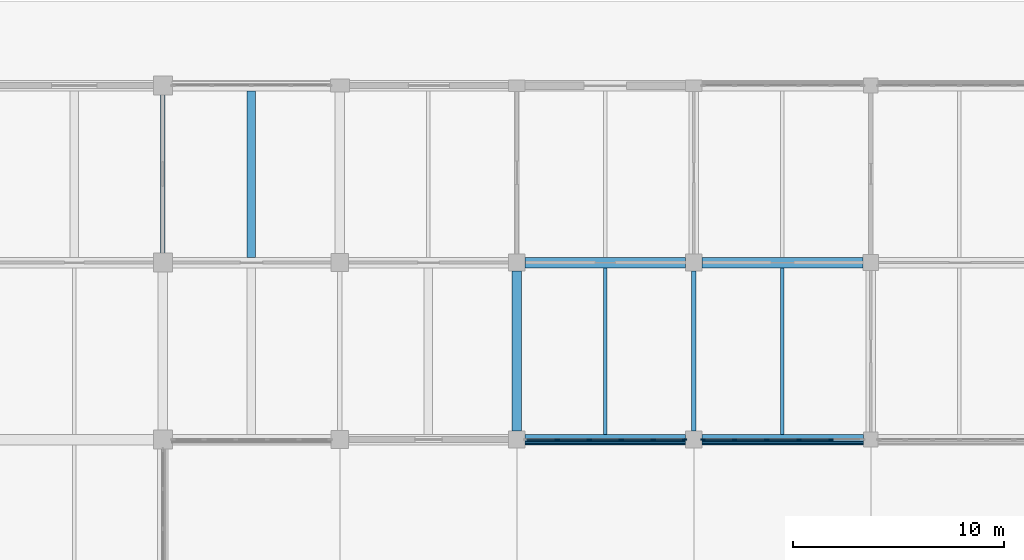
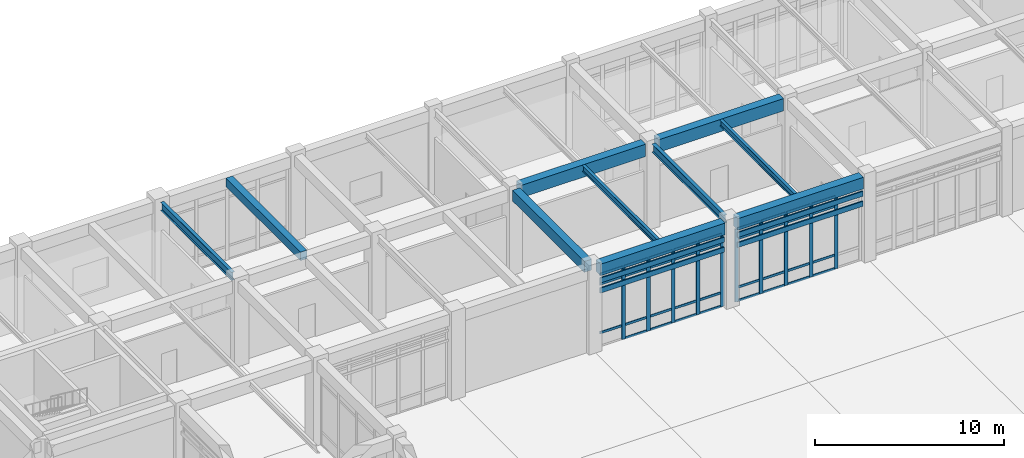
# One storey, part 44 of 91: 49 members, 10 beams, 2 elements without a shape of their own.
"""IFC4 building model written with IfcOpenShell, lengths in metres."""

from ifc_helpers import new_model, si_unit, direction, frame, origin, origin_2d, place, context, subcontext, project, spatial, rectangle, i_section, extrude, material, layer, layer_set, material_profile, profile_set, type_object, element, aggregate, save


model = new_model("IFC4")

# Units and contexts
model_context = context("Model", 3, precision=1e-05, world=origin(), true_north=direction((0.0, 1.0)))
body_context = subcontext(model_context, "Body", "Model", "MODEL_VIEW")
ifc_project = project(units=[si_unit("LENGTHUNIT", "METRE"), si_unit("AREAUNIT", "SQUARE_METRE"), si_unit("VOLUMEUNIT", "CUBIC_METRE"), si_unit("PLANEANGLEUNIT", "RADIAN"), si_unit("MASSUNIT", "GRAM", prefix="KILO")], contexts=[model_context])

# Site, building, storey
site_placement = place(None, origin())
site = spatial("IfcSite", under=ifc_project, at=site_placement, CompositionType="ELEMENT")
building_placement = place(site_placement, origin())
building = spatial("IfcBuilding", under=site, at=building_placement, Name="Porcellanite Civic Hall", CompositionType="ELEMENT")
storey_placement = place(building_placement, origin())
storey = spatial("IfcBuildingStorey", under=building, at=storey_placement, Name="L00", CompositionType="ELEMENT", Elevation=0.0)

# Beams
ifc_material_1 = material(Name="Concrete N50 (50 MPa)", Category="concrete")
ifc_material_profile_1 = material_profile(ifc_material_1, rectangle(XDim=0.39990234375, YDim=0.550048828125, at=origin_2d()), Name="RC-400x550")
ifc_profile_set_1 = profile_set([ifc_material_profile_1], Name="Concrete N50 (50 MPa)")
beam_type_1 = type_object("IfcBeamType", Name="BM-RC550", PredefinedType="JOIST", material=ifc_profile_set_1)
beam_1_placement = place(storey_placement, frame((130.199951171875, 109.449462890625, 5.22509765625), z_axis=(0.0, 1.0, 0.0), x_axis=(-1.0, 0.0, 0.0)))
element("IfcBeam", 1, at=beam_1_placement, inside=storey, type_object=beam_type_1, Name="Secondary joist L00 16-14", PredefinedType="JOIST", context=body_context, shape_type="SweptSolid", body=[
    extrude(rectangle(XDim=0.39990234375, YDim=0.550048828125, at=origin_2d()), origin(), (0.0, 0.0, 1.0), 7.901123046875),
])
ifc_material_2 = material(Name="Concrete N50 (50 MPa)", Category="concrete")
ifc_material_profile_2 = material_profile(ifc_material_2, rectangle(XDim=0.449951171875, YDim=0.699951171875, at=origin_2d()), Name="RC-450x700")
ifc_profile_set_2 = profile_set([ifc_material_profile_2], Name="Concrete N50 (50 MPa)")
beam_type_2 = type_object("IfcBeamType", Name="BM-RC700", PredefinedType="BEAM", material=ifc_profile_set_2)
beam_2_placement = place(storey_placement, frame((142.800048828125, 101.199462890625, 5.14990234375), z_axis=(0.0, 1.0, 0.0), x_axis=(-1.0, 0.0, 0.0)))
element("IfcBeam", 2, at=beam_2_placement, inside=storey, type_object=beam_type_2, Name="Beam Y L00 18-13", PredefinedType="BEAM", context=body_context, shape_type="SweptSolid", body=[
    extrude(rectangle(XDim=0.449951171875, YDim=0.699951171875, at=origin_2d()), origin(), (0.0, 0.0, 1.0), 7.60107421875),
])
ifc_material_3 = material(Name="Concrete N50 (50 MPa)", Category="concrete")
ifc_material_profile_3 = material_profile(ifc_material_3, rectangle(XDim=0.5, YDim=0.75, at=origin_2d()), Name="RC-500x750")
ifc_profile_set_3 = profile_set([ifc_material_profile_3], Name="Concrete N50 (50 MPa)")
beam_type_3 = type_object("IfcBeamType", Name="BM-RC750", PredefinedType="SPANDREL", material=ifc_profile_set_3)
beam_3_placement = place(storey_placement, frame((143.199462890625, 100.800048828125, 5.125), z_axis=(1.0, 0.0, 0.0), x_axis=(0.0, 1.0, 0.0)))
element("IfcBeam", 3, at=beam_3_placement, inside=storey, type_object=beam_type_3, Name="Beam X L00 18-13", PredefinedType="SPANDREL", context=body_context, shape_type="SweptSolid", body=[
    extrude(rectangle(XDim=0.5, YDim=0.75, at=origin_2d()), origin(), (0.0, 0.0, 1.0), 7.60107421875),
])
beam_4_placement = place(storey_placement, frame((151.599609375, 100.800048828125, 5.125), z_axis=(1.0, 0.0, 0.0), x_axis=(0.0, 1.0, 0.0)))
element("IfcBeam", 4, at=beam_4_placement, inside=storey, type_object=beam_type_3, Name="Beam X L00 19-13", PredefinedType="SPANDREL", context=body_context, shape_type="SweptSolid", body=[
    extrude(rectangle(XDim=0.5, YDim=0.75, at=origin_2d()), origin(), (0.0, 0.0, 1.0), 7.65087890625),
])
ifc_material_4 = material(Name="Concrete N50 (50 MPa)", Category="concrete")
ifc_material_profile_4 = material_profile(ifc_material_4, rectangle(XDim=0.5, YDim=0.800048828125, at=origin_2d()), Name="RC-500x800")
ifc_profile_set_4 = profile_set([ifc_material_profile_4], Name="Concrete N50 (50 MPa)")
beam_type_4 = type_object("IfcBeamType", Name="BM-RC800", PredefinedType="BEAM", material=ifc_profile_set_4)
beam_5_placement = place(storey_placement, frame((143.199462890625, 109.199951171875, 5.10009765625), z_axis=(1.0, 0.0, 0.0), x_axis=(0.0, 1.0, 0.0)))
element("IfcBeam", 5, at=beam_5_placement, inside=storey, type_object=beam_type_4, Name="Beam X L00 18-14", PredefinedType="BEAM", context=body_context, shape_type="SweptSolid", body=[
    extrude(rectangle(XDim=0.5, YDim=0.800048828125, at=origin_2d()), origin(), (0.0, 0.0, 1.0), 7.60107421875),
])
beam_6_placement = place(storey_placement, frame((151.599609375, 109.199951171875, 5.10009765625), z_axis=(1.0, 0.0, 0.0), x_axis=(0.0, 1.0, 0.0)))
element("IfcBeam", 6, at=beam_6_placement, inside=storey, type_object=beam_type_4, Name="Beam X L00 19-14", PredefinedType="BEAM", context=body_context, shape_type="SweptSolid", body=[
    extrude(rectangle(XDim=0.5, YDim=0.800048828125, at=origin_2d()), origin(), (0.0, 0.0, 1.0), 7.6259765625),
])

# Curtain wall, members
ifc_material_5 = material(Name="Anodised aluminium and solar laminated glass", Category="aluminium")
ifc_layer = layer(ifc_material_5, 0.179931640625)
ifc_layer_set = layer_set([ifc_layer], Name="Anodised aluminium and solar laminated glass")
curtain_wall_type = type_object("IfcCurtainWallType", Name="CW-SYS02", PredefinedType="NOTDEFINED", material=ifc_layer_set)
curtain_wall_1_placement = place(storey_placement, origin())
curtain_wall_1 = element("IfcCurtainWall", 7, at=curtain_wall_1_placement, inside=storey, type_object=curtain_wall_type, Name="Curtain wall CW-051", PredefinedType="NOTDEFINED")
ifc_material_6 = material(Name="Anodised aluminium 6063-T6", Category="aluminium")
ifc_material_profile_5 = material_profile(ifc_material_6, rectangle(XDim=0.074951171875, YDim=0.219970703125, at=origin_2d()), Name="AL-75x220")
ifc_profile_set_5 = profile_set([ifc_material_profile_5], Name="Anodised aluminium 6063-T6")
member_type_1 = type_object("IfcMemberType", Name="CWM-03", PredefinedType="MULLION", material=ifc_profile_set_5)
member_1_placement = place(storey_placement, frame((150.761474609375, 100.800048828125, 0.0), z_axis=(0.0, 0.0, 1.0), x_axis=(0.0, -1.0, 0.0)))
member_1 = element("IfcMember", 8, at=member_1_placement, type_object=member_type_1, Name="CW-051 mullion 1", PredefinedType="MULLION", context=body_context, shape_type="SweptSolid", body=[
    extrude(rectangle(XDim=0.074951171875, YDim=0.219970703125, at=origin_2d()), origin(), (0.0, 0.0, 1.0), 4.699951171875),
])
member_2_placement = place(storey_placement, frame((149.279296875, 100.800048828125, 0.0), z_axis=(0.0, 0.0, 1.0), x_axis=(0.0, -1.0, 0.0)))
member_2 = element("IfcMember", 9, at=member_2_placement, type_object=member_type_1, Name="CW-051 mullion 2", PredefinedType="MULLION", context=body_context, shape_type="SweptSolid", body=[
    extrude(rectangle(XDim=0.074951171875, YDim=0.219970703125, at=origin_2d()), origin(), (0.0, 0.0, 1.0), 4.699951171875),
])
member_3_placement = place(storey_placement, frame((147.759765625, 100.800048828125, 0.0), z_axis=(0.0, 0.0, 1.0), x_axis=(0.0, -1.0, 0.0)))
member_3 = element("IfcMember", 10, at=member_3_placement, type_object=member_type_1, Name="CW-051 mullion 3", PredefinedType="MULLION", context=body_context, shape_type="SweptSolid", body=[
    extrude(rectangle(XDim=0.074951171875, YDim=0.219970703125, at=origin_2d()), origin(), (0.0, 0.0, 1.0), 4.699951171875),
])
member_4_placement = place(storey_placement, frame((146.240234375, 100.800048828125, 0.0), z_axis=(0.0, 0.0, 1.0), x_axis=(0.0, -1.0, 0.0)))
member_4 = element("IfcMember", 11, at=member_4_placement, type_object=member_type_1, Name="CW-051 mullion 4", PredefinedType="MULLION", context=body_context, shape_type="SweptSolid", body=[
    extrude(rectangle(XDim=0.074951171875, YDim=0.219970703125, at=origin_2d()), origin(), (0.0, 0.0, 1.0), 4.699951171875),
])
member_5_placement = place(storey_placement, frame((144.720703125, 100.800048828125, 0.0), z_axis=(0.0, 0.0, 1.0), x_axis=(0.0, -1.0, 0.0)))
member_5 = element("IfcMember", 12, at=member_5_placement, type_object=member_type_1, Name="CW-051 mullion 5", PredefinedType="MULLION", context=body_context, shape_type="SweptSolid", body=[
    extrude(rectangle(XDim=0.074951171875, YDim=0.219970703125, at=origin_2d()), origin(), (0.0, 0.0, 1.0), 4.699951171875),
])

curtain_wall_2_placement = place(storey_placement, origin())
curtain_wall_2 = element("IfcCurtainWall", 13, at=curtain_wall_2_placement, inside=storey, type_object=curtain_wall_type, Name="Curtain wall CW-052", PredefinedType="NOTDEFINED")
member_6_placement = place(storey_placement, frame((157.719482421875, 100.800048828125, 0.0), z_axis=(0.0, 0.0, 1.0), x_axis=(0.0, -1.0, 0.0)))
member_6 = element("IfcMember", 14, at=member_6_placement, type_object=member_type_1, Name="CW-052 mullion 2", PredefinedType="MULLION", context=body_context, shape_type="SweptSolid", body=[
    extrude(rectangle(XDim=0.074951171875, YDim=0.219970703125, at=origin_2d()), origin(), (0.0, 0.0, 1.0), 4.699951171875),
])
member_7_placement = place(storey_placement, frame((156.189697265625, 100.800048828125, 0.0), z_axis=(0.0, 0.0, 1.0), x_axis=(0.0, -1.0, 0.0)))
member_7 = element("IfcMember", 15, at=member_7_placement, type_object=member_type_1, Name="CW-052 mullion 3", PredefinedType="MULLION", context=body_context, shape_type="SweptSolid", body=[
    extrude(rectangle(XDim=0.074951171875, YDim=0.219970703125, at=origin_2d()), origin(), (0.0, 0.0, 1.0), 4.699951171875),
])
member_8_placement = place(storey_placement, frame((154.66015625, 100.800048828125, 0.0), z_axis=(0.0, 0.0, 1.0), x_axis=(0.0, -1.0, 0.0)))
member_8 = element("IfcMember", 16, at=member_8_placement, type_object=member_type_1, Name="CW-052 mullion 4", PredefinedType="MULLION", context=body_context, shape_type="SweptSolid", body=[
    extrude(rectangle(XDim=0.074951171875, YDim=0.219970703125, at=origin_2d()), origin(), (0.0, 0.0, 1.0), 4.699951171875),
])
member_9_placement = place(storey_placement, frame((153.130615234375, 100.800048828125, 0.0), z_axis=(0.0, 0.0, 1.0), x_axis=(0.0, -1.0, 0.0)))
member_9 = element("IfcMember", 17, at=member_9_placement, type_object=member_type_1, Name="CW-052 mullion 5", PredefinedType="MULLION", context=body_context, shape_type="SweptSolid", body=[
    extrude(rectangle(XDim=0.074951171875, YDim=0.219970703125, at=origin_2d()), origin(), (0.0, 0.0, 1.0), 4.699951171875),
])
member_10_placement = place(storey_placement, frame((151.638427734375, 100.800048828125, 0.0), z_axis=(0.0, 0.0, 1.0), x_axis=(0.0, -1.0, 0.0)))
member_10 = element("IfcMember", 18, at=member_10_placement, type_object=member_type_1, Name="CW-052 mullion 6", PredefinedType="MULLION", context=body_context, shape_type="SweptSolid", body=[
    extrude(rectangle(XDim=0.074951171875, YDim=0.219970703125, at=origin_2d()), origin(), (0.0, 0.0, 1.0), 4.699951171875),
])

# Member
ifc_material_7 = material(Name="Anodised aluminium 6063-T6", Category="aluminium")
ifc_material_profile_6 = material_profile(ifc_material_7, rectangle(XDim=0.06494140625, YDim=0.14990234375, at=origin_2d()), Name="AL-65x150")
ifc_profile_set_6 = profile_set([ifc_material_profile_6], Name="Anodised aluminium 6063-T6")
member_type_2 = type_object("IfcMemberType", Name="CWT-02", PredefinedType="USERDEFINED", material=ifc_profile_set_6)
member_11_placement = place(storey_placement, frame((150.72412109375, 100.800048828125, 0.032470703125), z_axis=(-1.0, 0.0, 0.0), x_axis=(0.0, -1.0, 0.0)))
member_11 = element("IfcMember", 19, at=member_11_placement, type_object=member_type_2, Name="CW-051 transom 1.1", ObjectType="TRANSOM", PredefinedType="USERDEFINED", context=body_context, shape_type="SweptSolid", body=[
    extrude(rectangle(XDim=0.06494140625, YDim=0.14990234375, at=origin_2d()), origin(), (0.0, 0.0, 1.0), 1.4072265625),
])

member_12_placement = place(storey_placement, frame((150.72412109375, 100.800048828125, 0.89990234375), z_axis=(-1.0, 0.0, 0.0), x_axis=(0.0, -1.0, 0.0)))
member_12 = element("IfcMember", 20, at=member_12_placement, type_object=member_type_2, Name="CW-051 transom 1.2", ObjectType="TRANSOM", PredefinedType="USERDEFINED", context=body_context, shape_type="SweptSolid", body=[
    extrude(rectangle(XDim=0.06494140625, YDim=0.14990234375, at=origin_2d()), origin(), (0.0, 0.0, 1.0), 1.4072265625),
])

member_13_placement = place(storey_placement, frame((150.72412109375, 100.800048828125, 4.050048828125), z_axis=(-1.0, 0.0, 0.0), x_axis=(0.0, -1.0, 0.0)))
member_13 = element("IfcMember", 21, at=member_13_placement, type_object=member_type_2, Name="CW-051 transom 1.3", ObjectType="TRANSOM", PredefinedType="USERDEFINED", context=body_context, shape_type="SweptSolid", body=[
    extrude(rectangle(XDim=0.06494140625, YDim=0.14990234375, at=origin_2d()), origin(), (0.0, 0.0, 1.0), 1.4072265625),
])

member_14_placement = place(storey_placement, frame((150.72412109375, 100.800048828125, 4.66748046875), z_axis=(-1.0, 0.0, 0.0), x_axis=(0.0, -1.0, 0.0)))
member_14 = element("IfcMember", 22, at=member_14_placement, type_object=member_type_2, Name="CW-051 transom 1.4", ObjectType="TRANSOM", PredefinedType="USERDEFINED", context=body_context, shape_type="SweptSolid", body=[
    extrude(rectangle(XDim=0.06494140625, YDim=0.14990234375, at=origin_2d()), origin(), (0.0, 0.0, 1.0), 1.4072265625),
])

member_15_placement = place(storey_placement, frame((149.241943359375, 100.800048828125, 0.032470703125), z_axis=(-1.0, 0.0, 0.0), x_axis=(0.0, -1.0, 0.0)))
member_15 = element("IfcMember", 23, at=member_15_placement, type_object=member_type_2, Name="CW-051 transom 2.1", ObjectType="TRANSOM", PredefinedType="USERDEFINED", context=body_context, shape_type="SweptSolid", body=[
    extrude(rectangle(XDim=0.06494140625, YDim=0.14990234375, at=origin_2d()), origin(), (0.0, 0.0, 1.0), 1.444580078125),
])

member_16_placement = place(storey_placement, frame((149.241943359375, 100.800048828125, 0.89990234375), z_axis=(-1.0, 0.0, 0.0), x_axis=(0.0, -1.0, 0.0)))
member_16 = element("IfcMember", 24, at=member_16_placement, type_object=member_type_2, Name="CW-051 transom 2.2", ObjectType="TRANSOM", PredefinedType="USERDEFINED", context=body_context, shape_type="SweptSolid", body=[
    extrude(rectangle(XDim=0.06494140625, YDim=0.14990234375, at=origin_2d()), origin(), (0.0, 0.0, 1.0), 1.444580078125),
])

member_17_placement = place(storey_placement, frame((149.241943359375, 100.800048828125, 4.050048828125), z_axis=(-1.0, 0.0, 0.0), x_axis=(0.0, -1.0, 0.0)))
member_17 = element("IfcMember", 25, at=member_17_placement, type_object=member_type_2, Name="CW-051 transom 2.3", ObjectType="TRANSOM", PredefinedType="USERDEFINED", context=body_context, shape_type="SweptSolid", body=[
    extrude(rectangle(XDim=0.06494140625, YDim=0.14990234375, at=origin_2d()), origin(), (0.0, 0.0, 1.0), 1.444580078125),
])

member_18_placement = place(storey_placement, frame((149.241943359375, 100.800048828125, 4.66748046875), z_axis=(-1.0, 0.0, 0.0), x_axis=(0.0, -1.0, 0.0)))
member_18 = element("IfcMember", 26, at=member_18_placement, type_object=member_type_2, Name="CW-051 transom 2.4", ObjectType="TRANSOM", PredefinedType="USERDEFINED", context=body_context, shape_type="SweptSolid", body=[
    extrude(rectangle(XDim=0.06494140625, YDim=0.14990234375, at=origin_2d()), origin(), (0.0, 0.0, 1.0), 1.444580078125),
])

member_19_placement = place(storey_placement, frame((147.722412109375, 100.800048828125, 0.032470703125), z_axis=(-1.0, 0.0, 0.0), x_axis=(0.0, -1.0, 0.0)))
member_19 = element("IfcMember", 27, at=member_19_placement, type_object=member_type_2, Name="CW-051 transom 3.1", ObjectType="TRANSOM", PredefinedType="USERDEFINED", context=body_context, shape_type="SweptSolid", body=[
    extrude(rectangle(XDim=0.06494140625, YDim=0.14990234375, at=origin_2d()), origin(), (0.0, 0.0, 1.0), 1.44482421875),
])

member_20_placement = place(storey_placement, frame((147.722412109375, 100.800048828125, 0.89990234375), z_axis=(-1.0, 0.0, 0.0), x_axis=(0.0, -1.0, 0.0)))
member_20 = element("IfcMember", 28, at=member_20_placement, type_object=member_type_2, Name="CW-051 transom 3.2", ObjectType="TRANSOM", PredefinedType="USERDEFINED", context=body_context, shape_type="SweptSolid", body=[
    extrude(rectangle(XDim=0.06494140625, YDim=0.14990234375, at=origin_2d()), origin(), (0.0, 0.0, 1.0), 1.44482421875),
])

member_21_placement = place(storey_placement, frame((147.722412109375, 100.800048828125, 4.050048828125), z_axis=(-1.0, 0.0, 0.0), x_axis=(0.0, -1.0, 0.0)))
member_21 = element("IfcMember", 29, at=member_21_placement, type_object=member_type_2, Name="CW-051 transom 3.3", ObjectType="TRANSOM", PredefinedType="USERDEFINED", context=body_context, shape_type="SweptSolid", body=[
    extrude(rectangle(XDim=0.06494140625, YDim=0.14990234375, at=origin_2d()), origin(), (0.0, 0.0, 1.0), 1.44482421875),
])

member_22_placement = place(storey_placement, frame((147.722412109375, 100.800048828125, 4.66748046875), z_axis=(-1.0, 0.0, 0.0), x_axis=(0.0, -1.0, 0.0)))
member_22 = element("IfcMember", 30, at=member_22_placement, type_object=member_type_2, Name="CW-051 transom 3.4", ObjectType="TRANSOM", PredefinedType="USERDEFINED", context=body_context, shape_type="SweptSolid", body=[
    extrude(rectangle(XDim=0.06494140625, YDim=0.14990234375, at=origin_2d()), origin(), (0.0, 0.0, 1.0), 1.44482421875),
])

member_23_placement = place(storey_placement, frame((146.20263671875, 100.800048828125, 0.032470703125), z_axis=(-1.0, 0.0, 0.0), x_axis=(0.0, -1.0, 0.0)))
member_23 = element("IfcMember", 31, at=member_23_placement, type_object=member_type_2, Name="CW-051 transom 4.1", ObjectType="TRANSOM", PredefinedType="USERDEFINED", context=body_context, shape_type="SweptSolid", body=[
    extrude(rectangle(XDim=0.06494140625, YDim=0.14990234375, at=origin_2d()), origin(), (0.0, 0.0, 1.0), 1.444580078125),
])

member_24_placement = place(storey_placement, frame((146.20263671875, 100.800048828125, 0.89990234375), z_axis=(-1.0, 0.0, 0.0), x_axis=(0.0, -1.0, 0.0)))
member_24 = element("IfcMember", 32, at=member_24_placement, type_object=member_type_2, Name="CW-051 transom 4.2", ObjectType="TRANSOM", PredefinedType="USERDEFINED", context=body_context, shape_type="SweptSolid", body=[
    extrude(rectangle(XDim=0.06494140625, YDim=0.14990234375, at=origin_2d()), origin(), (0.0, 0.0, 1.0), 1.444580078125),
])

member_25_placement = place(storey_placement, frame((146.20263671875, 100.800048828125, 4.050048828125), z_axis=(-1.0, 0.0, 0.0), x_axis=(0.0, -1.0, 0.0)))
member_25 = element("IfcMember", 33, at=member_25_placement, type_object=member_type_2, Name="CW-051 transom 4.3", ObjectType="TRANSOM", PredefinedType="USERDEFINED", context=body_context, shape_type="SweptSolid", body=[
    extrude(rectangle(XDim=0.06494140625, YDim=0.14990234375, at=origin_2d()), origin(), (0.0, 0.0, 1.0), 1.444580078125),
])

member_26_placement = place(storey_placement, frame((146.20263671875, 100.800048828125, 4.66748046875), z_axis=(-1.0, 0.0, 0.0), x_axis=(0.0, -1.0, 0.0)))
member_26 = element("IfcMember", 34, at=member_26_placement, type_object=member_type_2, Name="CW-051 transom 4.4", ObjectType="TRANSOM", PredefinedType="USERDEFINED", context=body_context, shape_type="SweptSolid", body=[
    extrude(rectangle(XDim=0.06494140625, YDim=0.14990234375, at=origin_2d()), origin(), (0.0, 0.0, 1.0), 1.444580078125),
])

member_27_placement = place(storey_placement, frame((144.68310546875, 100.800048828125, 0.89990234375), z_axis=(-1.0, 0.0, 0.0), x_axis=(0.0, -1.0, 0.0)))
member_27 = element("IfcMember", 35, at=member_27_placement, type_object=member_type_2, Name="CW-051 transom 5.2", ObjectType="TRANSOM", PredefinedType="USERDEFINED", context=body_context, shape_type="SweptSolid", body=[
    extrude(rectangle(XDim=0.06494140625, YDim=0.14990234375, at=origin_2d()), origin(), (0.0, 0.0, 1.0), 1.4072265625),
])

member_28_placement = place(storey_placement, frame((144.68310546875, 100.800048828125, 4.050048828125), z_axis=(-1.0, 0.0, 0.0), x_axis=(0.0, -1.0, 0.0)))
member_28 = element("IfcMember", 36, at=member_28_placement, type_object=member_type_2, Name="CW-051 transom 5.3", ObjectType="TRANSOM", PredefinedType="USERDEFINED", context=body_context, shape_type="SweptSolid", body=[
    extrude(rectangle(XDim=0.06494140625, YDim=0.14990234375, at=origin_2d()), origin(), (0.0, 0.0, 1.0), 1.4072265625),
])

member_29_placement = place(storey_placement, frame((144.68310546875, 100.800048828125, 4.66748046875), z_axis=(-1.0, 0.0, 0.0), x_axis=(0.0, -1.0, 0.0)))
member_29 = element("IfcMember", 37, at=member_29_placement, type_object=member_type_2, Name="CW-051 transom 5.4", ObjectType="TRANSOM", PredefinedType="USERDEFINED", context=body_context, shape_type="SweptSolid", body=[
    extrude(rectangle(XDim=0.06494140625, YDim=0.14990234375, at=origin_2d()), origin(), (0.0, 0.0, 1.0), 1.4072265625),
])

aggregate(curtain_wall_1, [member_1, member_2, member_3, member_4, member_5, member_11, member_12, member_13, member_14, member_15, member_16, member_17, member_18, member_19, member_20, member_21, member_22, member_23, member_24, member_25, member_26, member_27, member_28, member_29])

member_30_placement = place(storey_placement, frame((157.681884765625, 100.800048828125, 0.032470703125), z_axis=(-1.0, 0.0, 0.0), x_axis=(0.0, -1.0, 0.0)))
member_30 = element("IfcMember", 38, at=member_30_placement, type_object=member_type_2, Name="CW-052 transom 2.1", ObjectType="TRANSOM", PredefinedType="USERDEFINED", context=body_context, shape_type="SweptSolid", body=[
    extrude(rectangle(XDim=0.06494140625, YDim=0.14990234375, at=origin_2d()), origin(), (0.0, 0.0, 1.0), 1.45458984375),
])

member_31_placement = place(storey_placement, frame((157.681884765625, 100.800048828125, 0.89990234375), z_axis=(-1.0, 0.0, 0.0), x_axis=(0.0, -1.0, 0.0)))
member_31 = element("IfcMember", 39, at=member_31_placement, type_object=member_type_2, Name="CW-052 transom 2.2", ObjectType="TRANSOM", PredefinedType="USERDEFINED", context=body_context, shape_type="SweptSolid", body=[
    extrude(rectangle(XDim=0.06494140625, YDim=0.14990234375, at=origin_2d()), origin(), (0.0, 0.0, 1.0), 1.45458984375),
])

member_32_placement = place(storey_placement, frame((157.681884765625, 100.800048828125, 4.050048828125), z_axis=(-1.0, 0.0, 0.0), x_axis=(0.0, -1.0, 0.0)))
member_32 = element("IfcMember", 40, at=member_32_placement, type_object=member_type_2, Name="CW-052 transom 2.3", ObjectType="TRANSOM", PredefinedType="USERDEFINED", context=body_context, shape_type="SweptSolid", body=[
    extrude(rectangle(XDim=0.06494140625, YDim=0.14990234375, at=origin_2d()), origin(), (0.0, 0.0, 1.0), 1.45458984375),
])

member_33_placement = place(storey_placement, frame((157.681884765625, 100.800048828125, 4.66748046875), z_axis=(-1.0, 0.0, 0.0), x_axis=(0.0, -1.0, 0.0)))
member_33 = element("IfcMember", 41, at=member_33_placement, type_object=member_type_2, Name="CW-052 transom 2.4", ObjectType="TRANSOM", PredefinedType="USERDEFINED", context=body_context, shape_type="SweptSolid", body=[
    extrude(rectangle(XDim=0.06494140625, YDim=0.14990234375, at=origin_2d()), origin(), (0.0, 0.0, 1.0), 1.45458984375),
])

member_34_placement = place(storey_placement, frame((156.15234375, 100.800048828125, 0.032470703125), z_axis=(-1.0, 0.0, 0.0), x_axis=(0.0, -1.0, 0.0)))
member_34 = element("IfcMember", 42, at=member_34_placement, type_object=member_type_2, Name="CW-052 transom 3.1", ObjectType="TRANSOM", PredefinedType="USERDEFINED", context=body_context, shape_type="SweptSolid", body=[
    extrude(rectangle(XDim=0.06494140625, YDim=0.14990234375, at=origin_2d()), origin(), (0.0, 0.0, 1.0), 1.45458984375),
])

member_35_placement = place(storey_placement, frame((156.15234375, 100.800048828125, 0.89990234375), z_axis=(-1.0, 0.0, 0.0), x_axis=(0.0, -1.0, 0.0)))
member_35 = element("IfcMember", 43, at=member_35_placement, type_object=member_type_2, Name="CW-052 transom 3.2", ObjectType="TRANSOM", PredefinedType="USERDEFINED", context=body_context, shape_type="SweptSolid", body=[
    extrude(rectangle(XDim=0.06494140625, YDim=0.14990234375, at=origin_2d()), origin(), (0.0, 0.0, 1.0), 1.45458984375),
])

member_36_placement = place(storey_placement, frame((156.15234375, 100.800048828125, 4.050048828125), z_axis=(-1.0, 0.0, 0.0), x_axis=(0.0, -1.0, 0.0)))
member_36 = element("IfcMember", 44, at=member_36_placement, type_object=member_type_2, Name="CW-052 transom 3.3", ObjectType="TRANSOM", PredefinedType="USERDEFINED", context=body_context, shape_type="SweptSolid", body=[
    extrude(rectangle(XDim=0.06494140625, YDim=0.14990234375, at=origin_2d()), origin(), (0.0, 0.0, 1.0), 1.45458984375),
])

member_37_placement = place(storey_placement, frame((156.15234375, 100.800048828125, 4.66748046875), z_axis=(-1.0, 0.0, 0.0), x_axis=(0.0, -1.0, 0.0)))
member_37 = element("IfcMember", 45, at=member_37_placement, type_object=member_type_2, Name="CW-052 transom 3.4", ObjectType="TRANSOM", PredefinedType="USERDEFINED", context=body_context, shape_type="SweptSolid", body=[
    extrude(rectangle(XDim=0.06494140625, YDim=0.14990234375, at=origin_2d()), origin(), (0.0, 0.0, 1.0), 1.45458984375),
])

member_38_placement = place(storey_placement, frame((154.622802734375, 100.800048828125, 0.032470703125), z_axis=(-1.0, 0.0, 0.0), x_axis=(0.0, -1.0, 0.0)))
member_38 = element("IfcMember", 46, at=member_38_placement, type_object=member_type_2, Name="CW-052 transom 4.1", ObjectType="TRANSOM", PredefinedType="USERDEFINED", context=body_context, shape_type="SweptSolid", body=[
    extrude(rectangle(XDim=0.06494140625, YDim=0.14990234375, at=origin_2d()), origin(), (0.0, 0.0, 1.0), 1.45458984375),
])

member_39_placement = place(storey_placement, frame((154.622802734375, 100.800048828125, 0.89990234375), z_axis=(-1.0, 0.0, 0.0), x_axis=(0.0, -1.0, 0.0)))
member_39 = element("IfcMember", 47, at=member_39_placement, type_object=member_type_2, Name="CW-052 transom 4.2", ObjectType="TRANSOM", PredefinedType="USERDEFINED", context=body_context, shape_type="SweptSolid", body=[
    extrude(rectangle(XDim=0.06494140625, YDim=0.14990234375, at=origin_2d()), origin(), (0.0, 0.0, 1.0), 1.45458984375),
])

member_40_placement = place(storey_placement, frame((154.622802734375, 100.800048828125, 4.050048828125), z_axis=(-1.0, 0.0, 0.0), x_axis=(0.0, -1.0, 0.0)))
member_40 = element("IfcMember", 48, at=member_40_placement, type_object=member_type_2, Name="CW-052 transom 4.3", ObjectType="TRANSOM", PredefinedType="USERDEFINED", context=body_context, shape_type="SweptSolid", body=[
    extrude(rectangle(XDim=0.06494140625, YDim=0.14990234375, at=origin_2d()), origin(), (0.0, 0.0, 1.0), 1.45458984375),
])

member_41_placement = place(storey_placement, frame((154.622802734375, 100.800048828125, 4.66748046875), z_axis=(-1.0, 0.0, 0.0), x_axis=(0.0, -1.0, 0.0)))
member_41 = element("IfcMember", 49, at=member_41_placement, type_object=member_type_2, Name="CW-052 transom 4.4", ObjectType="TRANSOM", PredefinedType="USERDEFINED", context=body_context, shape_type="SweptSolid", body=[
    extrude(rectangle(XDim=0.06494140625, YDim=0.14990234375, at=origin_2d()), origin(), (0.0, 0.0, 1.0), 1.45458984375),
])

member_42_placement = place(storey_placement, frame((153.093017578125, 100.800048828125, 0.032470703125), z_axis=(-1.0, 0.0, 0.0), x_axis=(0.0, -1.0, 0.0)))
member_42 = element("IfcMember", 50, at=member_42_placement, type_object=member_type_2, Name="CW-052 transom 5.1", ObjectType="TRANSOM", PredefinedType="USERDEFINED", context=body_context, shape_type="SweptSolid", body=[
    extrude(rectangle(XDim=0.06494140625, YDim=0.14990234375, at=origin_2d()), origin(), (0.0, 0.0, 1.0), 1.4169921875),
])

member_43_placement = place(storey_placement, frame((153.093017578125, 100.800048828125, 0.89990234375), z_axis=(-1.0, 0.0, 0.0), x_axis=(0.0, -1.0, 0.0)))
member_43 = element("IfcMember", 51, at=member_43_placement, type_object=member_type_2, Name="CW-052 transom 5.2", ObjectType="TRANSOM", PredefinedType="USERDEFINED", context=body_context, shape_type="SweptSolid", body=[
    extrude(rectangle(XDim=0.06494140625, YDim=0.14990234375, at=origin_2d()), origin(), (0.0, 0.0, 1.0), 1.4169921875),
])

member_44_placement = place(storey_placement, frame((153.093017578125, 100.800048828125, 4.050048828125), z_axis=(-1.0, 0.0, 0.0), x_axis=(0.0, -1.0, 0.0)))
member_44 = element("IfcMember", 52, at=member_44_placement, type_object=member_type_2, Name="CW-052 transom 5.3", ObjectType="TRANSOM", PredefinedType="USERDEFINED", context=body_context, shape_type="SweptSolid", body=[
    extrude(rectangle(XDim=0.06494140625, YDim=0.14990234375, at=origin_2d()), origin(), (0.0, 0.0, 1.0), 1.4169921875),
])

member_45_placement = place(storey_placement, frame((153.093017578125, 100.800048828125, 4.66748046875), z_axis=(-1.0, 0.0, 0.0), x_axis=(0.0, -1.0, 0.0)))
member_45 = element("IfcMember", 53, at=member_45_placement, type_object=member_type_2, Name="CW-052 transom 5.4", ObjectType="TRANSOM", PredefinedType="USERDEFINED", context=body_context, shape_type="SweptSolid", body=[
    extrude(rectangle(XDim=0.06494140625, YDim=0.14990234375, at=origin_2d()), origin(), (0.0, 0.0, 1.0), 1.4169921875),
])

aggregate(curtain_wall_2, [member_6, member_7, member_8, member_9, member_10, member_30, member_31, member_32, member_33, member_34, member_35, member_36, member_37, member_38, member_39, member_40, member_41, member_42, member_43, member_44, member_45])

# Beams
ifc_material_8 = material(Name="Steel Grade 350", Category="steel")
ifc_material_profile_7 = material_profile(ifc_material_8, i_section(OverallWidth=0.177978515625, OverallDepth=0.403076171875, WebThickness=0.007568359375, FlangeThickness=0.010986328125, FilletRadius=0.011474609375, at=origin_2d()), Name="410UB53.7")
ifc_profile_set_7 = profile_set([ifc_material_profile_7], Name="Steel Grade 350")
beam_type_5 = type_object("IfcBeamType", Name="JST-410UB54", PredefinedType="JOIST", material=ifc_profile_set_7)
beam_7_placement = place(storey_placement, frame((155.39990234375, 101.049560546875, 5.298583984375), z_axis=(0.0, 1.0, 0.0), x_axis=(-1.0, 0.0, 0.0)))
element("IfcBeam", 54, at=beam_7_placement, inside=storey, type_object=beam_type_5, Name="Secondary joist L00 19-13", PredefinedType="JOIST", context=body_context, shape_type="SweptSolid", body=[
    extrude(i_section(OverallWidth=0.177978515625, OverallDepth=0.403076171875, WebThickness=0.007568359375, FlangeThickness=0.010986328125, FilletRadius=0.011474609375, at=origin_2d()), origin(), (0.0, 0.0, 1.0), 7.90087890625),
])
ifc_material_9 = material(Name="Steel Grade 350", Category="steel")
ifc_material_profile_8 = material_profile(ifc_material_9, i_section(OverallWidth=0.177978515625, OverallDepth=0.406005859375, WebThickness=0.0078125, FlangeThickness=0.0126953125, FilletRadius=0.011474609375, at=origin_2d()), Name="410UB59.7")
ifc_profile_set_8 = profile_set([ifc_material_profile_8], Name="Steel Grade 350")
beam_type_6 = type_object("IfcBeamType", Name="JST-410UB60", PredefinedType="JOIST", material=ifc_profile_set_8)
beam_8_placement = place(storey_placement, frame((147.0, 101.049560546875, 5.297119140625), z_axis=(0.0, 1.0, 0.0), x_axis=(-1.0, 0.0, 0.0)))
element("IfcBeam", 55, at=beam_8_placement, inside=storey, type_object=beam_type_6, Name="Secondary joist L00 18-13", PredefinedType="JOIST", context=body_context, shape_type="SweptSolid", body=[
    extrude(i_section(OverallWidth=0.177978515625, OverallDepth=0.406005859375, WebThickness=0.0078125, FlangeThickness=0.0126953125, FilletRadius=0.011474609375, at=origin_2d()), origin(), (0.0, 0.0, 1.0), 7.90087890625),
])

# Members
ifc_material_10 = material(Name="Fluoropolymer bauxite-red aluminium 6063-T6", Category="aluminium")
ifc_material_profile_9 = material_profile(ifc_material_10, rectangle(XDim=0.080078125, YDim=0.320068359375, at=origin_2d()), Name="AL-80x320")
ifc_profile_set_9 = profile_set([ifc_material_profile_9], Name="Fluoropolymer bauxite-red aluminium 6063-T6")
member_type_3 = type_object("IfcMemberType", Name="LV-BLD03", PredefinedType="USERDEFINED", material=ifc_profile_set_9)
for number, where, z_axis, x_axis, name in (
    (56, (150.800537109375, 100.64794921875, 4.39990234375), (-1.0, 0.0, 0.0), (0.0, -1.0, 0.0), "Cyclone sunshade louvre L00 S 17-12 1"),
    (57, (150.800537109375, 100.64794921875, 3.75), (-1.0, 0.0, 0.0), (0.0, -1.0, 0.0), "Cyclone sunshade louvre L00 S 17-12 2"),
):
    element("IfcMember", number, at=place(storey_placement, frame(where, z_axis=z_axis, x_axis=x_axis)), inside=storey, type_object=member_type_3, Name=name, ObjectType="LOUVRE BLADE", PredefinedType="USERDEFINED", context=body_context, shape_type="SweptSolid", body=[
        extrude(rectangle(XDim=0.080078125, YDim=0.320068359375, at=origin_2d()), origin(), (0.0, 0.0, 1.0), 7.60107421875),
    ])
for number, where, z_axis, x_axis, name in (
    (58, (159.25048828125, 100.64794921875, 4.39990234375), (-1.0, 0.0, 0.0), (0.0, -1.0, 0.0), "Cyclone sunshade louvre L00 S 18-12 1"),
    (59, (159.25048828125, 100.64794921875, 3.75), (-1.0, 0.0, 0.0), (0.0, -1.0, 0.0), "Cyclone sunshade louvre L00 S 18-12 2"),
):
    element("IfcMember", number, at=place(storey_placement, frame(where, z_axis=z_axis, x_axis=x_axis)), inside=storey, type_object=member_type_3, Name=name, ObjectType="LOUVRE BLADE", PredefinedType="USERDEFINED", context=body_context, shape_type="SweptSolid", body=[
        extrude(rectangle(XDim=0.080078125, YDim=0.320068359375, at=origin_2d()), origin(), (0.0, 0.0, 1.0), 7.65087890625),
    ])

# Beams
ifc_material_11 = material(Name="Steel Grade 350", Category="steel")
ifc_material_profile_10 = material_profile(ifc_material_11, i_section(OverallWidth=0.208984375, OverallDepth=0.528076171875, WebThickness=0.009521484375, FlangeThickness=0.01318359375, FilletRadius=0.013916015625, at=origin_2d()), Name="530UB82.0")
ifc_profile_set_10 = profile_set([ifc_material_profile_10], Name="Steel Grade 350")
beam_type_7 = type_object("IfcBeamType", Name="RAF-530UB82", PredefinedType="BEAM", material=ifc_profile_set_10)
beam_9_placement = place(storey_placement, frame((126.0, 109.6494140625, 5.236083984375), z_axis=(0.0, 1.0, 0.0), x_axis=(-1.0, 0.0, 0.0)))
element("IfcBeam", 60, at=beam_9_placement, inside=storey, type_object=beam_type_7, Name="Beam Y L00 16-14", PredefinedType="BEAM", context=body_context, shape_type="SweptSolid", body=[
    extrude(i_section(OverallWidth=0.208984375, OverallDepth=0.528076171875, WebThickness=0.009521484375, FlangeThickness=0.01318359375, FilletRadius=0.013916015625, at=origin_2d()), origin(), (0.0, 0.0, 1.0), 7.5009765625),
])
beam_10_placement = place(storey_placement, frame((151.199951171875, 101.199462890625, 5.236083984375), z_axis=(0.0, 1.0, 0.0), x_axis=(-1.0, 0.0, 0.0)))
element("IfcBeam", 61, at=beam_10_placement, inside=storey, type_object=beam_type_7, Name="Beam Y L00 19-13", PredefinedType="BEAM", context=body_context, shape_type="SweptSolid", body=[
    extrude(i_section(OverallWidth=0.208984375, OverallDepth=0.528076171875, WebThickness=0.009521484375, FlangeThickness=0.01318359375, FilletRadius=0.013916015625, at=origin_2d()), origin(), (0.0, 0.0, 1.0), 7.60107421875),
])

save(model, "model.ifc")
